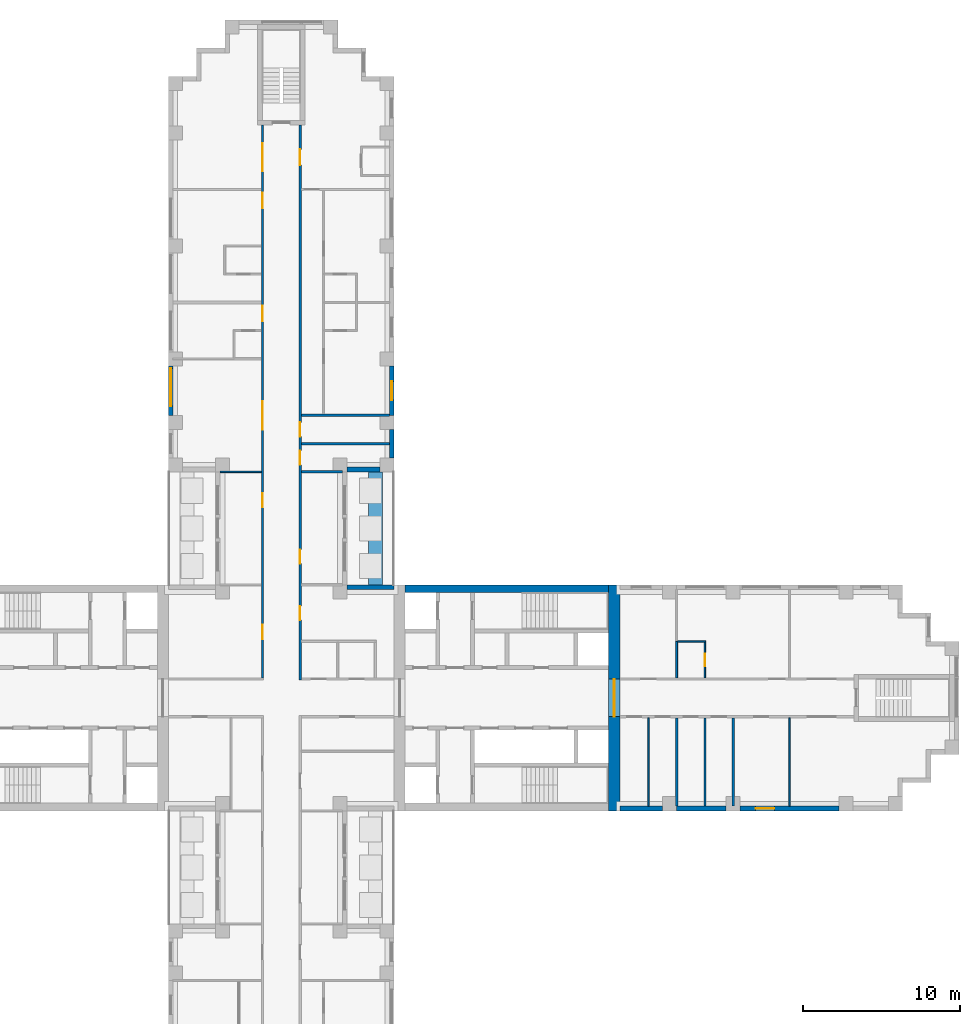
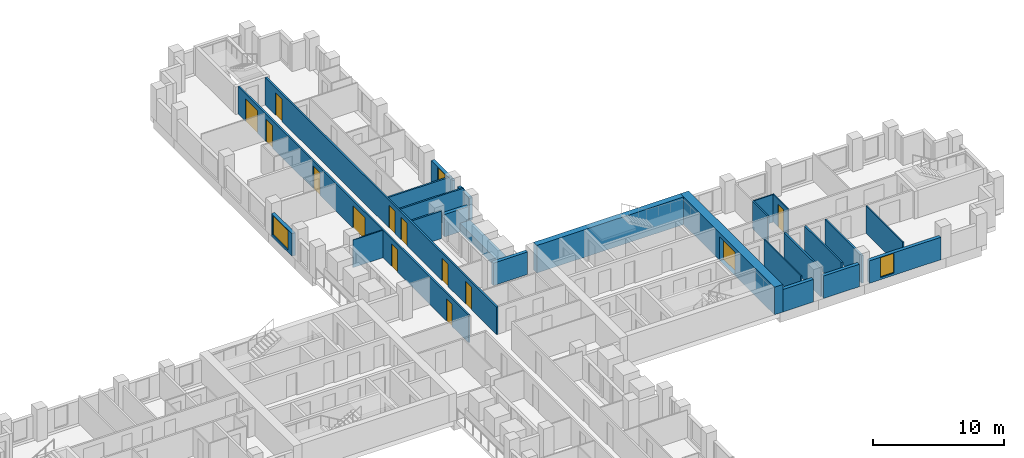
# One storey, part 9 of 15: 25 walls, 13 doors, 3 windows, 16 openings.
"""IFC4 building model written with IfcOpenShell, lengths in metres."""

from ifc_helpers import new_model, si_unit, direction, frame, frame_2d, origin, place, context, subcontext, project, spatial, rectangle, extrude, material, layer, layer_set, type_object, element, fill, save


model = new_model("IFC4")

# Units and contexts
model_context = context("Model", 3, precision=1e-05, world=origin(), true_north=direction((0.0, 1.0)))
body_context = subcontext(model_context, "Body", "Model", "MODEL_VIEW")
ifc_project = project(units=[si_unit("LENGTHUNIT", "METRE"), si_unit("AREAUNIT", "SQUARE_METRE"), si_unit("VOLUMEUNIT", "CUBIC_METRE"), si_unit("PLANEANGLEUNIT", "RADIAN"), si_unit("MASSUNIT", "GRAM", prefix="KILO")], contexts=[model_context])

# Site, building, storey
site_placement = place(None, origin())
site = spatial("IfcSite", under=ifc_project, at=site_placement, CompositionType="ELEMENT")
building_placement = place(site_placement, origin())
building = spatial("IfcBuilding", under=site, at=building_placement, Name="Fustian Cross Tower", CompositionType="ELEMENT")
storey_placement = place(building_placement, frame((0.0, 0.0, 50.699951171875)))
storey = spatial("IfcBuildingStorey", under=building, at=storey_placement, Name="L15", CompositionType="ELEMENT", Elevation=50.699951171875)

# Wall, openings, doors
ifc_material_1 = material(Name="Plasterboard on steel stud", Category="steel")
ifc_layer_1 = layer(ifc_material_1, 0.14990234375)
ifc_layer_set_1 = layer_set([ifc_layer_1], Name="Plasterboard on steel stud")
wall_type_1 = type_object("IfcWallType", Name="COMPARTMENT WALL 150 EI 60", PredefinedType="PARTITIONING", material=ifc_layer_set_1)
wall_1_placement = place(storey_placement, frame((-1.199951171875, 1.27490234375, 0.0), z_axis=(0.0, 0.0, 1.0), x_axis=(0.0, 1.0, 0.0)))
wall_1 = element("IfcWall", 1, at=wall_1_placement, inside=storey, type_object=wall_type_1, Name="Partition 43", PredefinedType="PARTITIONING", context=body_context, shape_type="SweptSolid", body=[
    extrude(rectangle(XDim=35.22509765625, YDim=0.14990234375, at=frame_2d((17.612548828125, 0.0))), origin(), (0.0, 0.0, 1.0), 2.574951171875),
])
opening_1_placement = place(wall_1_placement, frame((2.47509765625, 0.0, 0.0)))
opening_1 = element("IfcOpeningElement", 2, at=opening_1_placement, cuts=wall_1, Name="Opening D08004", PredefinedType="OPENING", context=body_context, shape_type="SweptSolid", body=[
    extrude(rectangle(XDim=0.89990234375, YDim=2.10009765625, at=frame_2d((0.449951171875, 1.050048828125))), frame((0.0, 0.0849609375, 0.0), z_axis=(0.0, -1.0, 0.0), x_axis=(1.0, 0.0, 0.0)), (0.0, 0.0, 1.0), 0.169921875),
])
opening_2_placement = place(wall_1_placement, frame((10.875, 0.0, 0.0)))
opening_2 = element("IfcOpeningElement", 3, at=opening_2_placement, cuts=wall_1, Name="Opening D08019", PredefinedType="OPENING", context=body_context, shape_type="SweptSolid", body=[
    extrude(rectangle(XDim=0.89990234375, YDim=2.10009765625, at=frame_2d((0.449951171875, 1.050048828125))), frame((0.0, 0.0849609375, 0.0), z_axis=(0.0, -1.0, 0.0), x_axis=(1.0, 0.0, 0.0)), (0.0, 0.0, 1.0), 0.169921875),
])
opening_3_placement = place(wall_1_placement, frame((15.824951171875, 0.0, 0.0)))
opening_3 = element("IfcOpeningElement", 4, at=opening_3_placement, cuts=wall_1, Name="Opening D08020", PredefinedType="OPENING", context=body_context, shape_type="SweptSolid", body=[
    extrude(rectangle(XDim=1.800048828125, YDim=2.10009765625, at=frame_2d((0.89990234375, 1.050048828125))), frame((0.0, 0.0849609375, 0.0), z_axis=(0.0, -1.0, 0.0), x_axis=(1.0, 0.0, 0.0)), (0.0, 0.0, 1.0), 0.169921875),
])
opening_4_placement = place(wall_1_placement, frame((22.72509765625, 0.0, 0.0)))
opening_4 = element("IfcOpeningElement", 5, at=opening_4_placement, cuts=wall_1, Name="Opening D08022", PredefinedType="OPENING", context=body_context, shape_type="SweptSolid", body=[
    extrude(rectangle(XDim=1.0, YDim=2.10009765625, at=frame_2d((0.5, 1.050048828125))), frame((0.0, 0.0849609375, 0.0), z_axis=(0.0, -1.0, 0.0), x_axis=(1.0, 0.0, 0.0)), (0.0, 0.0, 1.0), 0.169921875),
])
opening_5_placement = place(wall_1_placement, frame((29.925048828125, 0.0, 0.0)))
opening_5 = element("IfcOpeningElement", 6, at=opening_5_placement, cuts=wall_1, Name="Opening D08024", PredefinedType="OPENING", context=body_context, shape_type="SweptSolid", body=[
    extrude(rectangle(XDim=1.0, YDim=2.10009765625, at=frame_2d((0.5, 1.050048828125))), frame((0.0, 0.0849609375, 0.0), z_axis=(0.0, -1.0, 0.0), x_axis=(1.0, 0.0, 0.0)), (0.0, 0.0, 1.0), 0.169921875),
])
opening_6_placement = place(wall_1_placement, frame((32.27490234375, 0.0, 0.0)))
opening_6 = element("IfcOpeningElement", 7, at=opening_6_placement, cuts=wall_1, Name="Opening D08025", PredefinedType="OPENING", context=body_context, shape_type="SweptSolid", body=[
    extrude(rectangle(XDim=1.800048828125, YDim=2.10009765625, at=frame_2d((0.89990234375, 1.050048828125))), frame((0.0, 0.0849609375, 0.0), z_axis=(0.0, -1.0, 0.0), x_axis=(1.0, 0.0, 0.0)), (0.0, 0.0, 1.0), 0.169921875),
])
ifc_material_2 = material(Name="Timber fire door set", Category="wood")
door_type_1 = type_object("IfcDoorType", Name="FIRE DOUBLE DOOR 1800 FD30S", OperationType="DOUBLE_DOOR_DOUBLE_SWING", PredefinedType="DOOR", material=ifc_material_2)
door_1_placement = place(opening_3_placement, frame((1.800048828125, 0.0, 0.0), z_axis=(0.0, 0.0, 1.0), x_axis=(-1.0, 0.0, 0.0)))
door_1 = element("IfcDoor", 8, at=door_1_placement, inside=storey, type_object=door_type_1, Name="Door D08020", OperationType="DOUBLE_DOOR_DOUBLE_SWING", OverallHeight=2.10009765625, OverallWidth=1.800048828125, PredefinedType="DOOR", context=body_context, shape_type="SweptSolid", body=[
    extrude(rectangle(XDim=1.800048828125, YDim=2.10009765625, at=frame_2d((0.89990234375, 1.050048828125))), frame((0.0, 0.02490234375, 0.0), z_axis=(0.0, -1.0, 0.0), x_axis=(1.0, 0.0, 0.0)), (0.0, 0.0, 1.0), 0.050048828125),
])
fill(opening_3, door_1)
door_2_placement = place(opening_6_placement, frame((1.800048828125, 0.0, 0.0), z_axis=(0.0, 0.0, 1.0), x_axis=(-1.0, 0.0, 0.0)))
door_2 = element("IfcDoor", 9, at=door_2_placement, inside=storey, type_object=door_type_1, Name="Door D08025", OperationType="DOUBLE_DOOR_DOUBLE_SWING", OverallHeight=2.10009765625, OverallWidth=1.800048828125, PredefinedType="DOOR", context=body_context, shape_type="SweptSolid", body=[
    extrude(rectangle(XDim=1.800048828125, YDim=2.10009765625, at=frame_2d((0.89990234375, 1.050048828125))), frame((0.0, 0.02490234375, 0.0), z_axis=(0.0, -1.0, 0.0), x_axis=(1.0, 0.0, 0.0)), (0.0, 0.0, 1.0), 0.050048828125),
])
fill(opening_6, door_2)
ifc_material_3 = material(Name="Timber fire door set", Category="wood")
door_type_2 = type_object("IfcDoorType", Name="FIRE SWING DOOR 1000 FD30S", OperationType="SINGLE_SWING_LEFT", PredefinedType="DOOR", material=ifc_material_3)
door_3_placement = place(opening_4_placement, origin())
door_3 = element("IfcDoor", 10, at=door_3_placement, inside=storey, type_object=door_type_2, Name="Door D08022", OperationType="SINGLE_SWING_RIGHT", OverallHeight=2.10009765625, OverallWidth=1.0, PredefinedType="DOOR", context=body_context, shape_type="SweptSolid", body=[
    extrude(rectangle(XDim=1.0, YDim=2.10009765625, at=frame_2d((0.5, 1.050048828125))), frame((0.0, 0.02490234375, 0.0), z_axis=(0.0, -1.0, 0.0), x_axis=(1.0, 0.0, 0.0)), (0.0, 0.0, 1.0), 0.050048828125),
])
fill(opening_4, door_3)
door_4_placement = place(opening_5_placement, origin())
door_4 = element("IfcDoor", 11, at=door_4_placement, inside=storey, type_object=door_type_2, Name="Door D08024", OperationType="SINGLE_SWING_RIGHT", OverallHeight=2.10009765625, OverallWidth=1.0, PredefinedType="DOOR", context=body_context, shape_type="SweptSolid", body=[
    extrude(rectangle(XDim=1.0, YDim=2.10009765625, at=frame_2d((0.5, 1.050048828125))), frame((0.0, 0.02490234375, 0.0), z_axis=(0.0, -1.0, 0.0), x_axis=(1.0, 0.0, 0.0)), (0.0, 0.0, 1.0), 0.050048828125),
])
fill(opening_5, door_4)
ifc_material_4 = material(Name="Timber fire door set", Category="wood")
door_type_3 = type_object("IfcDoorType", Name="FIRE SWING DOOR 900 FD30S", OperationType="SINGLE_SWING_LEFT", PredefinedType="DOOR", material=ifc_material_4)
door_5_placement = place(opening_1_placement, origin())
door_5 = element("IfcDoor", 12, at=door_5_placement, inside=storey, type_object=door_type_3, Name="Door D08004", OperationType="SINGLE_SWING_LEFT", OverallHeight=2.10009765625, OverallWidth=0.89990234375, PredefinedType="DOOR", context=body_context, shape_type="SweptSolid", body=[
    extrude(rectangle(XDim=0.89990234375, YDim=2.10009765625, at=frame_2d((0.449951171875, 1.050048828125))), frame((0.0, 0.02490234375, 0.0), z_axis=(0.0, -1.0, 0.0), x_axis=(1.0, 0.0, 0.0)), (0.0, 0.0, 1.0), 0.050048828125),
])
fill(opening_1, door_5)
door_6_placement = place(opening_2_placement, origin())
door_6 = element("IfcDoor", 13, at=door_6_placement, inside=storey, type_object=door_type_3, Name="Door D08019", OperationType="SINGLE_SWING_RIGHT", OverallHeight=2.10009765625, OverallWidth=0.89990234375, PredefinedType="DOOR", context=body_context, shape_type="SweptSolid", body=[
    extrude(rectangle(XDim=0.89990234375, YDim=2.10009765625, at=frame_2d((0.449951171875, 1.050048828125))), frame((0.0, 0.02490234375, 0.0), z_axis=(0.0, -1.0, 0.0), x_axis=(1.0, 0.0, 0.0)), (0.0, 0.0, 1.0), 0.050048828125),
])
fill(opening_2, door_6)

wall_2_placement = place(storey_placement, frame((1.199951171875, 1.125, 0.0), z_axis=(0.0, 0.0, 1.0), x_axis=(0.0, 1.0, 0.0)))
wall_2 = element("IfcWall", 14, at=wall_2_placement, inside=storey, type_object=wall_type_1, Name="Partition 51", PredefinedType="PARTITIONING", context=body_context, shape_type="SweptSolid", body=[
    extrude(rectangle(XDim=35.375, YDim=0.14990234375, at=frame_2d((17.6875, 0.0))), origin(), (0.0, 0.0, 1.0), 2.574951171875),
])
opening_7_placement = place(wall_2_placement, frame((3.824951171875, 0.0, 0.0)))
opening_7 = element("IfcOpeningElement", 15, at=opening_7_placement, cuts=wall_2, Name="Opening D08003", PredefinedType="OPENING", context=body_context, shape_type="SweptSolid", body=[
    extrude(rectangle(XDim=0.89990234375, YDim=2.10009765625, at=frame_2d((0.449951171875, 1.050048828125))), frame((0.0, 0.0849609375, 0.0), z_axis=(0.0, -1.0, 0.0), x_axis=(1.0, 0.0, 0.0)), (0.0, 0.0, 1.0), 0.169921875),
])
opening_8_placement = place(wall_2_placement, frame((7.425048828125, 0.0, 0.0)))
opening_8 = element("IfcOpeningElement", 16, at=opening_8_placement, cuts=wall_2, Name="Opening D08026", PredefinedType="OPENING", context=body_context, shape_type="SweptSolid", body=[
    extrude(rectangle(XDim=0.89990234375, YDim=2.10009765625, at=frame_2d((0.449951171875, 1.050048828125))), frame((0.0, 0.0849609375, 0.0), z_axis=(0.0, -1.0, 0.0), x_axis=(1.0, 0.0, 0.0)), (0.0, 0.0, 1.0), 0.169921875),
])
opening_9_placement = place(wall_2_placement, frame((13.72509765625, 0.0, 0.0)))
opening_9 = element("IfcOpeningElement", 17, at=opening_9_placement, cuts=wall_2, Name="Opening D08027", PredefinedType="OPENING", context=body_context, shape_type="SweptSolid", body=[
    extrude(rectangle(XDim=0.89990234375, YDim=2.10009765625, at=frame_2d((0.449951171875, 1.050048828125))), frame((0.0, 0.0849609375, 0.0), z_axis=(0.0, -1.0, 0.0), x_axis=(1.0, 0.0, 0.0)), (0.0, 0.0, 1.0), 0.169921875),
])
opening_10_placement = place(wall_2_placement, frame((15.52490234375, 0.0, 0.0)))
opening_10 = element("IfcOpeningElement", 18, at=opening_10_placement, cuts=wall_2, Name="Opening D08028", PredefinedType="OPENING", context=body_context, shape_type="SweptSolid", body=[
    extrude(rectangle(XDim=0.89990234375, YDim=2.10009765625, at=frame_2d((0.449951171875, 1.050048828125))), frame((0.0, 0.0849609375, 0.0), z_axis=(0.0, -1.0, 0.0), x_axis=(1.0, 0.0, 0.0)), (0.0, 0.0, 1.0), 0.169921875),
])
opening_11_placement = place(wall_2_placement, frame((32.824951171875, 0.0, 0.0)))
opening_11 = element("IfcOpeningElement", 19, at=opening_11_placement, cuts=wall_2, Name="Opening D08030", PredefinedType="OPENING", context=body_context, shape_type="SweptSolid", body=[
    extrude(rectangle(XDim=1.0, YDim=2.10009765625, at=frame_2d((0.5, 1.050048828125))), frame((0.0, 0.0849609375, 0.0), z_axis=(0.0, -1.0, 0.0), x_axis=(1.0, 0.0, 0.0)), (0.0, 0.0, 1.0), 0.169921875),
])
door_7_placement = place(opening_11_placement, frame((1.0, 0.0, 0.0), z_axis=(0.0, 0.0, 1.0), x_axis=(-1.0, 0.0, 0.0)))
door_7 = element("IfcDoor", 20, at=door_7_placement, inside=storey, type_object=door_type_2, Name="Door D08030", OperationType="SINGLE_SWING_RIGHT", OverallHeight=2.10009765625, OverallWidth=1.0, PredefinedType="DOOR", context=body_context, shape_type="SweptSolid", body=[
    extrude(rectangle(XDim=1.0, YDim=2.10009765625, at=frame_2d((0.5, 1.050048828125))), frame((0.0, 0.02490234375, 0.0), z_axis=(0.0, -1.0, 0.0), x_axis=(1.0, 0.0, 0.0)), (0.0, 0.0, 1.0), 0.050048828125),
])
fill(opening_11, door_7)
door_8_placement = place(opening_7_placement, frame((0.89990234375, 0.0, 0.0), z_axis=(0.0, 0.0, 1.0), x_axis=(-1.0, 0.0, 0.0)))
door_8 = element("IfcDoor", 21, at=door_8_placement, inside=storey, type_object=door_type_3, Name="Door D08003", OperationType="SINGLE_SWING_RIGHT", OverallHeight=2.10009765625, OverallWidth=0.89990234375, PredefinedType="DOOR", context=body_context, shape_type="SweptSolid", body=[
    extrude(rectangle(XDim=0.89990234375, YDim=2.10009765625, at=frame_2d((0.449951171875, 1.050048828125))), frame((0.0, 0.02490234375, 0.0), z_axis=(0.0, -1.0, 0.0), x_axis=(1.0, 0.0, 0.0)), (0.0, 0.0, 1.0), 0.050048828125),
])
fill(opening_7, door_8)
door_9_placement = place(opening_8_placement, frame((0.89990234375, 0.0, 0.0), z_axis=(0.0, 0.0, 1.0), x_axis=(-1.0, 0.0, 0.0)))
door_9 = element("IfcDoor", 22, at=door_9_placement, inside=storey, type_object=door_type_3, Name="Door D08026", OperationType="SINGLE_SWING_RIGHT", OverallHeight=2.10009765625, OverallWidth=0.89990234375, PredefinedType="DOOR", context=body_context, shape_type="SweptSolid", body=[
    extrude(rectangle(XDim=0.89990234375, YDim=2.10009765625, at=frame_2d((0.449951171875, 1.050048828125))), frame((0.0, 0.02490234375, 0.0), z_axis=(0.0, -1.0, 0.0), x_axis=(1.0, 0.0, 0.0)), (0.0, 0.0, 1.0), 0.050048828125),
])
fill(opening_8, door_9)
door_10_placement = place(opening_9_placement, frame((0.89990234375, 0.0, 0.0), z_axis=(0.0, 0.0, 1.0), x_axis=(-1.0, 0.0, 0.0)))
door_10 = element("IfcDoor", 23, at=door_10_placement, inside=storey, type_object=door_type_3, Name="Door D08027", OperationType="SINGLE_SWING_LEFT", OverallHeight=2.10009765625, OverallWidth=0.89990234375, PredefinedType="DOOR", context=body_context, shape_type="SweptSolid", body=[
    extrude(rectangle(XDim=0.89990234375, YDim=2.10009765625, at=frame_2d((0.449951171875, 1.050048828125))), frame((0.0, 0.02490234375, 0.0), z_axis=(0.0, -1.0, 0.0), x_axis=(1.0, 0.0, 0.0)), (0.0, 0.0, 1.0), 0.050048828125),
])
fill(opening_9, door_10)
door_11_placement = place(opening_10_placement, origin())
door_11 = element("IfcDoor", 24, at=door_11_placement, inside=storey, type_object=door_type_3, Name="Door D08028", OperationType="SINGLE_SWING_LEFT", OverallHeight=2.10009765625, OverallWidth=0.89990234375, PredefinedType="DOOR", context=body_context, shape_type="SweptSolid", body=[
    extrude(rectangle(XDim=0.89990234375, YDim=2.10009765625, at=frame_2d((0.449951171875, 1.050048828125))), frame((0.0, 0.02490234375, 0.0), z_axis=(0.0, -1.0, 0.0), x_axis=(1.0, 0.0, 0.0)), (0.0, 0.0, 1.0), 0.050048828125),
])
fill(opening_10, door_11)

# Walls
wall_3_placement = place(storey_placement, frame((1.27490234375, 14.39990234375, 0.0), z_axis=(0.0, 0.0, 1.0), x_axis=(1.0, 0.0, 0.0)))
element("IfcWall", 25, at=wall_3_placement, inside=storey, type_object=wall_type_1, Name="Partition 55", PredefinedType="PARTITIONING", context=body_context, shape_type="SweptSolid", body=[
    extrude(rectangle(XDim=2.625, YDim=0.14990234375, at=frame_2d((1.3125, 0.0))), origin(), (0.0, 0.0, 1.0), 2.574951171875),
])
for number, where, z_axis, x_axis, name in (
    (26, (1.27490234375, 16.199951171875, 0.0), (0.0, 0.0, 1.0), (1.0, 0.0, 0.0), "Partition 56"),
    (27, (1.27490234375, 18.0, 0.0), (0.0, 0.0, 1.0), (1.0, 0.0, 0.0), "Partition 57"),
    (28, (25.199951171875, -6.89990234375, 0.0), (0.0, 0.0, 1.0), (0.0, 1.0, 0.0), "Partition 80"),
    (29, (27.0, -6.89990234375, 0.0), (0.0, 0.0, 1.0), (0.0, 1.0, 0.0), "Partition 84"),
    (30, (28.800048828125, -6.89990234375, 0.0), (0.0, 0.0, 1.0), (0.0, 1.0, 0.0), "Partition 86"),
):
    element("IfcWall", number, at=place(storey_placement, frame(where, z_axis=z_axis, x_axis=x_axis)), inside=storey, type_object=wall_type_1, Name=name, PredefinedType="PARTITIONING", context=body_context, shape_type="SweptSolid", body=[
        extrude(rectangle(XDim=5.625, YDim=0.14990234375, at=frame_2d((2.8125, 0.0))), origin(), (0.0, 0.0, 1.0), 2.574951171875),
    ])

# Wall, opening, door
ifc_material_5 = material(Name="Concrete C80/95", Category="concrete")
ifc_layer_2 = layer(ifc_material_5, 0.75)
ifc_layer_set_2 = layer_set([ifc_layer_2], Name="Concrete C80/95")
wall_type_2 = type_object("IfcWallType", Name="CORE END WALL 750 C80/95", PredefinedType="SHEAR", material=ifc_layer_set_2)
wall_4_placement = place(storey_placement, frame((21.22509765625, -7.199951171875, 0.0), z_axis=(0.0, 0.0, 1.0), x_axis=(0.0, 1.0, 0.0)))
wall_4 = element("IfcWall", 31, at=wall_4_placement, inside=storey, type_object=wall_type_2, Name="Core end wall", PredefinedType="SHEAR", context=body_context, shape_type="SweptSolid", body=[
    extrude(rectangle(XDim=14.39990234375, YDim=0.75, at=frame_2d((7.199951171875, 0.0))), origin(), (0.0, 0.0, 1.0), 2.574951171875),
])
opening_12_placement = place(wall_4_placement, frame((6.0, 0.0, 0.0)))
opening_12 = element("IfcOpeningElement", 32, at=opening_12_placement, cuts=wall_4, Name="Opening CD-05-13", PredefinedType="OPENING", context=body_context, shape_type="SweptSolid", body=[
    extrude(rectangle(XDim=2.39990234375, YDim=2.199951171875, at=frame_2d((1.199951171875, 1.10009765625))), frame((0.0, 0.385009765625, 0.0), z_axis=(0.0, -1.0, 0.0), x_axis=(1.0, 0.0, 0.0)), (0.0, 0.0, 1.0), 0.77001953125),
])
ifc_material_6 = material(Name="Steel", Category="steel")
door_type_4 = type_object("IfcDoorType", Name="FIRE DOOR FD30S DOUBLE 2400X2200", OperationType="DOUBLE_DOOR_DOUBLE_SWING", PredefinedType="DOOR", material=ifc_material_6)
door_12_placement = place(opening_12_placement, origin())
door_12 = element("IfcDoor", 33, at=door_12_placement, inside=storey, type_object=door_type_4, Name="Core door CD-05-13", OperationType="DOUBLE_DOOR_DOUBLE_SWING", OverallHeight=2.199951171875, OverallWidth=2.39990234375, PredefinedType="DOOR", context=body_context, shape_type="SweptSolid", body=[
    extrude(rectangle(XDim=2.39990234375, YDim=2.199951171875, at=frame_2d((1.199951171875, 1.10009765625))), frame((0.0, 0.02490234375, 0.0), z_axis=(0.0, -1.0, 0.0), x_axis=(1.0, 0.0, 0.0)), (0.0, 0.0, 1.0), 0.050048828125),
])
fill(opening_12, door_12)

# Walls
ifc_material_7 = material(Name="Concrete C80/95", Category="concrete")
ifc_layer_3 = layer(ifc_material_7, 0.5)
ifc_layer_set_3 = layer_set([ifc_layer_3], Name="Concrete C80/95")
wall_type_3 = type_object("IfcWallType", Name="CORE FACADE WALL 500 C80/95", PredefinedType="SHEAR", material=ifc_layer_set_3)
wall_5_placement = place(storey_placement, frame((7.89990234375, 6.949951171875, 0.0), z_axis=(0.0, 0.0, 1.0), x_axis=(1.0, 0.0, 0.0)))
element("IfcWall", 34, at=wall_5_placement, inside=storey, type_object=wall_type_3, Name="Core facade wall", PredefinedType="SHEAR", context=body_context, shape_type="SweptSolid", body=[
    extrude(rectangle(XDim=12.9501953125, YDim=0.5, at=frame_2d((6.47509765625, 0.0))), origin(), (0.0, 0.0, 1.0), 2.574951171875),
])
ifc_material_8 = material(Name="Plasterboard on steel stud", Category="steel")
ifc_layer_4 = layer(ifc_material_8, 0.10009765625)
ifc_layer_set_4 = layer_set([ifc_layer_4], Name="Plasterboard on steel stud")
wall_type_4 = type_object("IfcWallType", Name="PARTITION 100 STUD", PredefinedType="PARTITIONING", material=ifc_layer_set_4)
wall_6_placement = place(storey_placement, frame((-3.89990234375, 14.39990234375, 0.0), z_axis=(0.0, 0.0, 1.0), x_axis=(1.0, 0.0, 0.0)))
element("IfcWall", 35, at=wall_6_placement, inside=storey, type_object=wall_type_4, Name="Partition 33", PredefinedType="PARTITIONING", context=body_context, shape_type="SweptSolid", body=[
    extrude(rectangle(XDim=2.625, YDim=0.10009765625, at=frame_2d((1.3125, 0.0))), origin(), (0.0, 0.0, 1.0), 2.574951171875),
])
wall_7_placement = place(storey_placement, frame((23.39990234375, -6.89990234375, 0.0), z_axis=(0.0, 0.0, 1.0), x_axis=(0.0, 1.0, 0.0)))
element("IfcWall", 36, at=wall_7_placement, inside=storey, type_object=wall_type_4, Name="Partition 79", PredefinedType="PARTITIONING", context=body_context, shape_type="SweptSolid", body=[
    extrude(rectangle(XDim=5.625, YDim=0.10009765625, at=frame_2d((2.8125, 0.0))), origin(), (0.0, 0.0, 1.0), 2.574951171875),
])
wall_8_placement = place(storey_placement, frame((25.262451171875, 3.60009765625, 0.0), z_axis=(0.0, 0.0, 1.0), x_axis=(1.0, 0.0, 0.0)))
element("IfcWall", 37, at=wall_8_placement, inside=storey, type_object=wall_type_4, Name="Partition 83", PredefinedType="PARTITIONING", context=body_context, shape_type="SweptSolid", body=[
    extrude(rectangle(XDim=1.78759765625, YDim=0.10009765625, at=frame_2d((0.893798828125, 0.0))), origin(), (0.0, 0.0, 1.0), 2.574951171875),
])

# Wall, opening, door
wall_9_placement = place(storey_placement, frame((27.0, 1.27490234375, 0.0), z_axis=(0.0, 0.0, 1.0), x_axis=(0.0, 1.0, 0.0)))
wall_9 = element("IfcWall", 38, at=wall_9_placement, inside=storey, type_object=wall_type_4, Name="Partition 85", PredefinedType="PARTITIONING", context=body_context, shape_type="SweptSolid", body=[
    extrude(rectangle(XDim=2.275146484375, YDim=0.10009765625, at=frame_2d((1.1376953125, 0.0))), origin(), (0.0, 0.0, 1.0), 2.574951171875),
])
opening_13_placement = place(wall_9_placement, frame((0.72509765625, 0.0, 0.0)))
opening_13 = element("IfcOpeningElement", 39, at=opening_13_placement, cuts=wall_9, Name="Opening D08010", PredefinedType="OPENING", context=body_context, shape_type="SweptSolid", body=[
    extrude(rectangle(XDim=0.800048828125, YDim=2.10009765625, at=frame_2d((0.39990234375, 1.050048828125))), frame((0.0, 0.06005859375, 0.0), z_axis=(0.0, -1.0, 0.0), x_axis=(1.0, 0.0, 0.0)), (0.0, 0.0, 1.0), 0.1201171875),
])
ifc_material_9 = material(Name="Painted timber", Category="wood")
door_type_5 = type_object("IfcDoorType", Name="SWING DOOR 800", OperationType="SINGLE_SWING_LEFT", PredefinedType="DOOR", material=ifc_material_9)
door_13_placement = place(opening_13_placement, origin())
door_13 = element("IfcDoor", 40, at=door_13_placement, inside=storey, type_object=door_type_5, Name="Door D08010", OperationType="SINGLE_SWING_LEFT", OverallHeight=2.10009765625, OverallWidth=0.800048828125, PredefinedType="DOOR", context=body_context, shape_type="SweptSolid", body=[
    extrude(rectangle(XDim=0.800048828125, YDim=2.10009765625, at=frame_2d((0.39990234375, 1.050048828125))), frame((0.0, 0.02490234375, 0.0), z_axis=(0.0, -1.0, 0.0), x_axis=(1.0, 0.0, 0.0)), (0.0, 0.0, 1.0), 0.050048828125),
])
fill(opening_13, door_13)

# Walls
wall_10_placement = place(storey_placement, frame((32.39990234375, -6.89990234375, 0.0), z_axis=(0.0, 0.0, 1.0), x_axis=(0.0, 1.0, 0.0)))
element("IfcWall", 41, at=wall_10_placement, inside=storey, type_object=wall_type_4, Name="Partition 87", PredefinedType="PARTITIONING", context=body_context, shape_type="SweptSolid", body=[
    extrude(rectangle(XDim=5.625, YDim=0.10009765625, at=frame_2d((2.8125, 0.0))), origin(), (0.0, 0.0, 1.0), 2.574951171875),
])
ifc_material_10 = material(Name="Concrete C40/50", Category="concrete")
ifc_layer_5 = layer(ifc_material_10, 0.89990234375)
ifc_layer_set_5 = layer_set([ifc_layer_5], Name="Concrete C40/50")
wall_type_5 = type_object("IfcWallType", Name="PK1 PLANTER 900", PredefinedType="PARAPET", material=ifc_layer_set_5)
wall_11_placement = place(storey_placement, frame((6.0, 7.199951171875, 0.0), z_axis=(0.0, 0.0, 1.0), x_axis=(0.0, 1.0, 0.0)))
element("IfcWall", 42, at=wall_11_placement, inside=storey, type_object=wall_type_5, Name="PLANTER", PredefinedType="PARAPET", context=body_context, shape_type="SweptSolid", body=[
    extrude(rectangle(XDim=7.199951171875, YDim=0.89990234375, at=frame_2d((3.60009765625, 0.0))), origin(), (0.0, 0.0, 1.0), 0.800048828125),
])
ifc_material_11 = material(Name="Plasterboard on steel stud", Category="steel")
ifc_layer_6 = layer(ifc_material_11, 0.125)
ifc_layer_set_6 = layer_set([ifc_layer_6], Name="Plasterboard on steel stud")
wall_type_6 = type_object("IfcWallType", Name="WET WALL 125 STUD", PredefinedType="PARTITIONING", material=ifc_layer_set_6)
wall_12_placement = place(storey_placement, frame((25.199951171875, 1.27490234375, 0.0), z_axis=(0.0, 0.0, 1.0), x_axis=(0.0, 1.0, 0.0)))
element("IfcWall", 43, at=wall_12_placement, inside=storey, type_object=wall_type_6, Name="Partition 81", PredefinedType="PARTITIONING", context=body_context, shape_type="SweptSolid", body=[
    extrude(rectangle(XDim=2.3251953125, YDim=0.125, at=frame_2d((1.16259765625, 0.0))), origin(), (0.0, 0.0, 1.0), 2.574951171875),
])
ifc_material_12 = material(Name="Dark aluminium cladding on insulated backing wall", Category="aluminium")
ifc_layer_7 = layer(ifc_material_12, 0.300048828125)
ifc_layer_set_7 = layer_set([ifc_layer_7], Name="Dark aluminium cladding on insulated backing wall")
wall_type_7 = type_object("IfcWallType", Name="XW1 EXTERNAL WALL 300", PredefinedType="SOLIDWALL", material=ifc_layer_set_7)
wall_13_placement = place(storey_placement, frame((21.60009765625, -7.050048828125, 0.0), z_axis=(0.0, 0.0, 1.0), x_axis=(1.0, 0.0, 0.0)))
element("IfcWall", 44, at=wall_13_placement, inside=storey, type_object=wall_type_7, Name="External wall", PredefinedType="SOLIDWALL", context=body_context, shape_type="SweptSolid", body=[
    extrude(rectangle(XDim=2.699951171875, YDim=0.300048828125, at=frame_2d((1.35009765625, 0.0))), origin(), (0.0, 0.0, 1.0), 2.10009765625),
])
wall_14_placement = place(storey_placement, frame((25.199951171875, -7.050048828125, 0.0), z_axis=(0.0, 0.0, 1.0), x_axis=(1.0, 0.0, 0.0)))
element("IfcWall", 45, at=wall_14_placement, inside=storey, type_object=wall_type_7, Name="External wall", PredefinedType="SOLIDWALL", context=body_context, shape_type="SweptSolid", body=[
    extrude(rectangle(XDim=3.150146484375, YDim=0.300048828125, at=frame_2d((1.5751953125, 0.0))), origin(), (0.0, 0.0, 1.0), 2.10009765625),
])

# Wall, opening, window
wall_15_placement = place(storey_placement, frame((29.25, -7.050048828125, 0.0), z_axis=(0.0, 0.0, 1.0), x_axis=(1.0, 0.0, 0.0)))
wall_15 = element("IfcWall", 46, at=wall_15_placement, inside=storey, type_object=wall_type_7, Name="External wall", PredefinedType="SOLIDWALL", context=body_context, shape_type="SweptSolid", body=[
    extrude(rectangle(XDim=6.300048828125, YDim=0.300048828125, at=frame_2d((3.14990234375, 0.0))), origin(), (0.0, 0.0, 1.0), 2.10009765625),
])
opening_14_placement = place(wall_15_placement, frame((0.97509765625, 0.0, 0.199951171875)))
opening_14 = element("IfcOpeningElement", 47, at=opening_14_placement, cuts=wall_15, Name="Opening WN3", PredefinedType="OPENING", context=body_context, shape_type="SweptSolid", body=[
    extrude(rectangle(XDim=1.199951171875, YDim=1.85009765625, at=frame_2d((0.60009765625, 0.925048828125))), frame((0.0, 0.159912109375, 0.0), z_axis=(0.0, -1.0, 0.0), x_axis=(1.0, 0.0, 0.0)), (0.0, 0.0, 1.0), 0.320068359375),
])
ifc_material_13 = material(Name="Dark anodised aluminium and double glazing", Category="aluminium")
window_type_1 = type_object("IfcWindowType", Name="WN3 WINDOW 1200X1850", PartitioningType="SINGLE_PANEL", PredefinedType="WINDOW", material=ifc_material_13)
window_1_placement = place(opening_14_placement, origin())
window_1 = element("IfcWindow", 48, at=window_1_placement, inside=storey, type_object=window_type_1, Name="Window", OverallHeight=1.85009765625, OverallWidth=1.199951171875, PartitioningType="SINGLE_PANEL", PredefinedType="WINDOW", context=body_context, shape_type="SweptSolid", body=[
    extrude(rectangle(XDim=1.199951171875, YDim=1.85009765625, at=frame_2d((0.60009765625, 0.925048828125))), frame((0.0, 0.030029296875, 0.0), z_axis=(0.0, -1.0, 0.0), x_axis=(1.0, 0.0, 0.0)), (0.0, 0.0, 1.0), 0.06005859375),
])
fill(opening_14, window_1)

# Walls
wall_16_placement = place(storey_placement, frame((7.199951171875, 7.050048828125, 0.0), z_axis=(0.0, 0.0, 1.0), x_axis=(-1.0, 0.0, 0.0)))
element("IfcWall", 49, at=wall_16_placement, inside=storey, type_object=wall_type_7, Name="External wall", PredefinedType="SOLIDWALL", context=body_context, shape_type="SweptSolid", body=[
    extrude(rectangle(XDim=3.0, YDim=0.300048828125, at=frame_2d((1.5, 0.0))), origin(), (0.0, 0.0, 1.0), 2.10009765625),
])
wall_17_placement = place(storey_placement, frame((4.199951171875, 14.550048828125, 0.0), z_axis=(0.0, 0.0, 1.0), x_axis=(1.0, 0.0, 0.0)))
element("IfcWall", 50, at=wall_17_placement, inside=storey, type_object=wall_type_7, Name="External wall", PredefinedType="SOLIDWALL", context=body_context, shape_type="SweptSolid", body=[
    extrude(rectangle(XDim=2.10009765625, YDim=0.300048828125, at=frame_2d((1.050048828125, 0.0))), origin(), (0.0, 0.0, 1.0), 2.10009765625),
])
wall_18_placement = place(storey_placement, frame((7.050048828125, 15.300048828125, 0.0), z_axis=(0.0, 0.0, 1.0), x_axis=(0.0, 1.0, 0.0)))
element("IfcWall", 51, at=wall_18_placement, inside=storey, type_object=wall_type_7, Name="External wall", PredefinedType="SOLIDWALL", context=body_context, shape_type="SweptSolid", body=[
    extrude(rectangle(XDim=1.800048828125, YDim=0.300048828125, at=frame_2d((0.89990234375, 0.0))), origin(), (0.0, 0.0, 1.0), 2.10009765625),
])

# Wall, opening, window
wall_19_placement = place(storey_placement, frame((7.050048828125, 18.0, 0.0), z_axis=(0.0, 0.0, 1.0), x_axis=(0.0, 1.0, 0.0)))
wall_19 = element("IfcWall", 52, at=wall_19_placement, inside=storey, type_object=wall_type_7, Name="External wall", PredefinedType="SOLIDWALL", context=body_context, shape_type="SweptSolid", body=[
    extrude(rectangle(XDim=3.14990234375, YDim=0.300048828125, at=frame_2d((1.574951171875, 0.0))), origin(), (0.0, 0.0, 1.0), 2.10009765625),
])
opening_15_placement = place(wall_19_placement, frame((0.97509765625, 0.0, 0.199951171875)))
opening_15 = element("IfcOpeningElement", 53, at=opening_15_placement, cuts=wall_19, Name="Opening WN3", PredefinedType="OPENING", context=body_context, shape_type="SweptSolid", body=[
    extrude(rectangle(XDim=1.199951171875, YDim=1.85009765625, at=frame_2d((0.60009765625, 0.925048828125))), frame((0.0, 0.159912109375, 0.0), z_axis=(0.0, -1.0, 0.0), x_axis=(1.0, 0.0, 0.0)), (0.0, 0.0, 1.0), 0.320068359375),
])
window_2_placement = place(opening_15_placement, origin())
window_2 = element("IfcWindow", 54, at=window_2_placement, inside=storey, type_object=window_type_1, Name="Window", OverallHeight=1.85009765625, OverallWidth=1.199951171875, PartitioningType="SINGLE_PANEL", PredefinedType="WINDOW", context=body_context, shape_type="SweptSolid", body=[
    extrude(rectangle(XDim=1.199951171875, YDim=1.85009765625, at=frame_2d((0.60009765625, 0.925048828125))), frame((0.0, 0.030029296875, 0.0), z_axis=(0.0, -1.0, 0.0), x_axis=(1.0, 0.0, 0.0)), (0.0, 0.0, 1.0), 0.06005859375),
])
fill(opening_15, window_2)

wall_20_placement = place(storey_placement, frame((-7.050048828125, 21.14990234375, 0.0), z_axis=(0.0, 0.0, 1.0), x_axis=(0.0, -1.0, 0.0)))
wall_20 = element("IfcWall", 55, at=wall_20_placement, inside=storey, type_object=wall_type_7, Name="External wall", PredefinedType="SOLIDWALL", context=body_context, shape_type="SweptSolid", body=[
    extrude(rectangle(XDim=3.14990234375, YDim=0.300048828125, at=frame_2d((1.574951171875, 0.0))), origin(), (0.0, 0.0, 1.0), 2.10009765625),
])
opening_16_placement = place(wall_20_placement, frame((0.14990234375, 0.0, 0.199951171875)))
opening_16 = element("IfcOpeningElement", 56, at=opening_16_placement, cuts=wall_20, Name="Opening WN1", PredefinedType="OPENING", context=body_context, shape_type="SweptSolid", body=[
    extrude(rectangle(XDim=2.39990234375, YDim=1.85009765625, at=frame_2d((1.199951171875, 0.925048828125))), frame((0.0, 0.159912109375, 0.0), z_axis=(0.0, -1.0, 0.0), x_axis=(1.0, 0.0, 0.0)), (0.0, 0.0, 1.0), 0.320068359375),
])
ifc_material_14 = material(Name="Dark anodised aluminium and double glazing", Category="aluminium")
window_type_2 = type_object("IfcWindowType", Name="WN1 WINDOW 2400X1850", PartitioningType="SINGLE_PANEL", PredefinedType="WINDOW", material=ifc_material_14)
window_3_placement = place(opening_16_placement, origin())
window_3 = element("IfcWindow", 57, at=window_3_placement, inside=storey, type_object=window_type_2, Name="Window", OverallHeight=1.85009765625, OverallWidth=2.39990234375, PartitioningType="SINGLE_PANEL", PredefinedType="WINDOW", context=body_context, shape_type="SweptSolid", body=[
    extrude(rectangle(XDim=2.39990234375, YDim=1.85009765625, at=frame_2d((1.199951171875, 0.925048828125))), frame((0.0, 0.030029296875, 0.0), z_axis=(0.0, -1.0, 0.0), x_axis=(1.0, 0.0, 0.0)), (0.0, 0.0, 1.0), 0.06005859375),
])
fill(opening_16, window_3)

save(model, "model.ifc")
